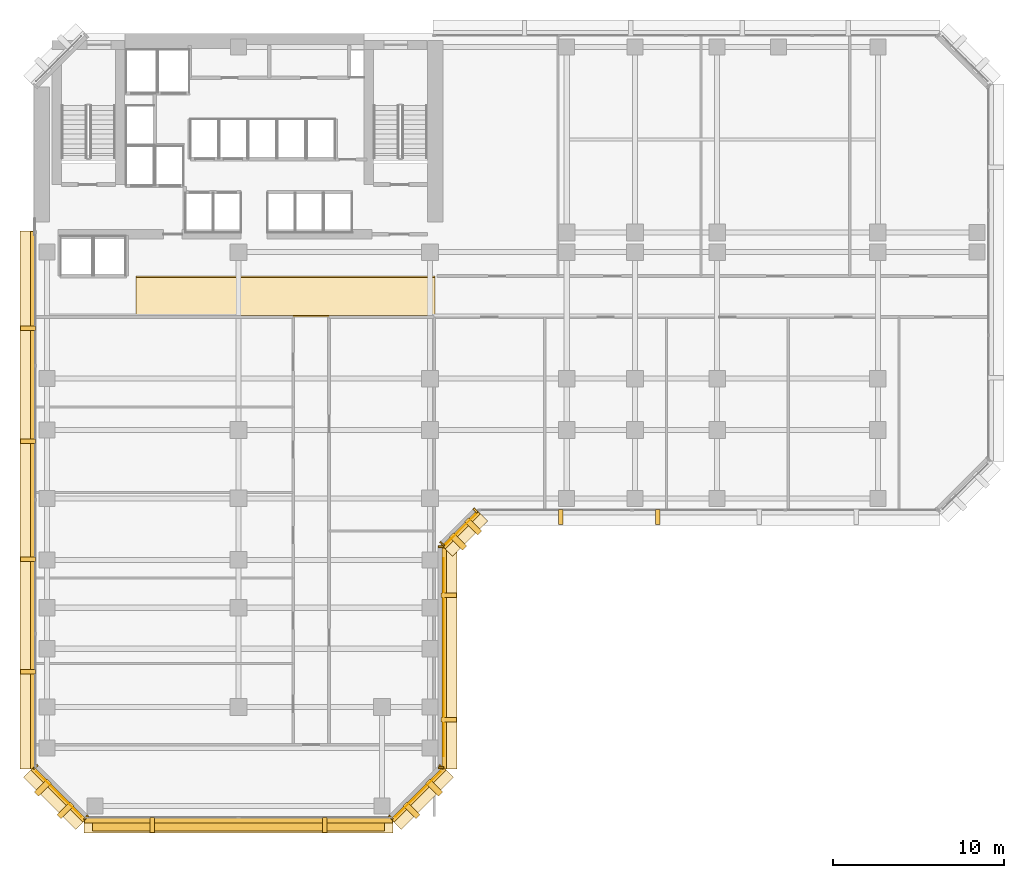
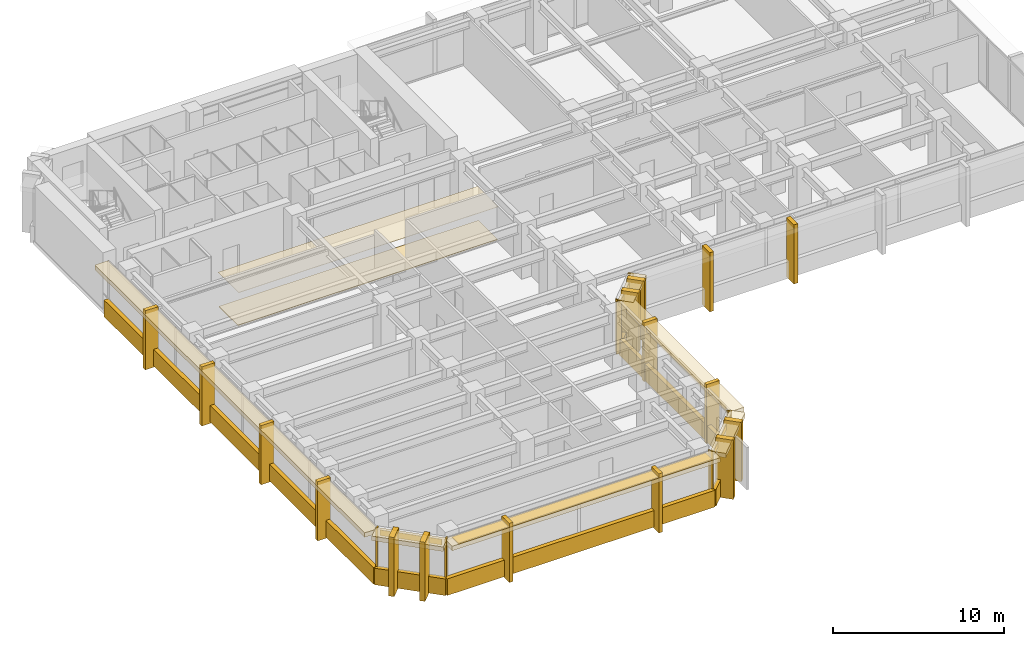
# One storey, part 9 of 13: 42 coverings, 1 shading device.
"""IFC4 building model written with IfcOpenShell, lengths in metres."""

from ifc_helpers import new_model, si_unit, direction, frame, origin, origin_2d, place, context, subcontext, project, spatial, polyline, rectangle, outline, extrude, material, layer, layer_set, type_object, element, save


model = new_model("IFC4")

# Units and contexts
model_context = context("Model", 3, precision=1e-05, world=origin(), true_north=direction((0.0, 1.0)))
body_context = subcontext(model_context, "Body", "Model", "MODEL_VIEW")
ifc_project = project(units=[si_unit("LENGTHUNIT", "METRE"), si_unit("AREAUNIT", "SQUARE_METRE"), si_unit("VOLUMEUNIT", "CUBIC_METRE"), si_unit("PLANEANGLEUNIT", "RADIAN"), si_unit("MASSUNIT", "GRAM", prefix="KILO")], contexts=[model_context])

# Site, building, storey
site_placement = place(None, origin())
site = spatial("IfcSite", under=ifc_project, at=site_placement, CompositionType="ELEMENT")
building_placement = place(site_placement, origin())
building = spatial("IfcBuilding", under=site, at=building_placement, Name="Kefirva Bronze Tower", CompositionType="ELEMENT")
storey_placement = place(building_placement, frame((0.0, 0.0, 62.0400390625)))
storey = spatial("IfcBuildingStorey", under=building, at=storey_placement, Name="L14", CompositionType="ELEMENT", Elevation=62.0400390625)

# Coverings
ifc_material_1 = material(Name="Acoustic mineral tile")
ifc_layer_1 = layer(ifc_material_1, 0.02490234375, Name="Acoustic mineral tile")
ifc_layer_set_1 = layer_set([ifc_layer_1], Name="Acoustic mineral tile")
covering_type_1 = type_object("IfcCoveringType", Name="Acoustic Mineral Suspended Ceiling 25mm", PredefinedType="CEILING", material=ifc_layer_set_1)
covering_1_placement = place(storey_placement, frame((0.0, 0.0, 2.39990234375)))
element("IfcCovering", 1, at=covering_1_placement, inside=storey, type_object=covering_type_1, Name="L14 Corridor Acoustic Ceiling", PredefinedType="CEILING", context=body_context, shape_type="SweptSolid", body=[
    extrude(outline(polyline([(6.0, 29.39990234375), (23.5, 29.39990234375), (23.5, 31.800048828125), (6.0, 31.800048828125), (6.0, 29.39990234375)])), origin(), (0.0, 0.0, 1.0), 0.025146484375),
])
ifc_material_2 = material(Name="Bronze anodised aluminium", Category="aluminium")
ifc_layer_2 = layer(ifc_material_2, 0.02001953125, Name="Bronze anodised aluminium")
ifc_layer_set_2 = layer_set([ifc_layer_2], Name="Bronze anodised aluminium")
covering_type_2 = type_object("IfcCoveringType", Name="Anodised Bronze Spandrel Cladding 20mm", PredefinedType="CLADDING", material=ifc_layer_set_2)
covering_2_placement = place(storey_placement, frame((12.0, -0.0400390625, -0.16015625), z_axis=(0.0, 0.0, 1.0), x_axis=(1.0, 0.0, 0.0)))
element("IfcCovering", 2, at=covering_2_placement, inside=storey, type_object=covering_type_2, Name="L14 Streamline Horizontal Spandrel Band 0", PredefinedType="CLADDING", context=body_context, shape_type="SweptSolid", body=[
    extrude(rectangle(XDim=18.0400390625, YDim=0.280029296875, at=origin_2d()), origin(), (0.0, 0.0, 1.0), 1.179931640625),
])
covering_3_placement = place(storey_placement, frame((22.507080078125, 1.492919921875, 3.2900390625), z_axis=(0.0, 0.0, 1.0), x_axis=(0.707106781187, 0.707106781187, 0.0)))
element("IfcCovering", 3, at=covering_3_placement, inside=storey, type_object=covering_type_2, Name="L14 Bronze Spandrel Cladding 1", PredefinedType="CLADDING", context=body_context, shape_type="SweptSolid", body=[
    extrude(rectangle(XDim=3.719482421875, YDim=0.02001953125, at=origin_2d()), origin(), (0.0, 0.0, 1.0), 0.39990234375),
])
for number, where, z_axis, x_axis, name in (
    (4, (20.91162109375, 0.137939453125, 0.0), (0.0, 0.0, 1.0), (0.707106781187, 0.707106781187, 0.0), "L14 Facade Joint Closure Panel 1S"),
    (5, (23.862060546875, 3.08837890625, 0.0), (0.0, 0.0, 1.0), (0.707106781187, 0.707106781187, 0.0), "L14 Facade Joint Closure Panel 1E"),
):
    element("IfcCovering", number, at=place(storey_placement, frame(where, z_axis=z_axis, x_axis=x_axis)), inside=storey, type_object=covering_type_2, Name=name, PredefinedType="CLADDING", context=body_context, shape_type="SweptSolid", body=[
        extrude(rectangle(XDim=0.10009765625, YDim=0.320068359375, at=origin_2d()), origin(), (0.0, 0.0, 1.0), 3.7099609375),
    ])
covering_4_placement = place(storey_placement, frame((22.5283203125, 1.4716796875, -0.16015625), z_axis=(0.0, 0.0, 1.0), x_axis=(0.707106781187, 0.707106781187, 0.0)))
element("IfcCovering", 6, at=covering_4_placement, inside=storey, type_object=covering_type_2, Name="L14 Streamline Horizontal Spandrel Band 1", PredefinedType="CLADDING", context=body_context, shape_type="SweptSolid", body=[
    extrude(rectangle(XDim=4.28271484375, YDim=0.280029296875, at=origin_2d()), origin(), (0.0, 0.0, 1.0), 1.179931640625),
])
covering_5_placement = place(storey_placement, frame((24.010009765625, 9.5, 3.2900390625), z_axis=(0.0, 0.0, 1.0), x_axis=(0.0, 1.0, 0.0)))
element("IfcCovering", 7, at=covering_5_placement, inside=storey, type_object=covering_type_2, Name="L14 Bronze Spandrel Cladding 2", PredefinedType="CLADDING", context=body_context, shape_type="SweptSolid", body=[
    extrude(rectangle(XDim=11.60107421875, YDim=0.02001953125, at=origin_2d()), origin(), (0.0, 0.0, 1.0), 0.39990234375),
])
for number, where, z_axis, x_axis, name in (
    (8, (23.840087890625, 3.034912109375, 0.0), (0.0, 0.0, 1.0), (0.0, 1.0, 0.0), "L14 Facade Joint Closure Panel 2S"),
    (9, (23.840087890625, 15.965087890625, 0.0), (0.0, 0.0, 1.0), (0.0, 1.0, 0.0), "L14 Facade Joint Closure Panel 2E"),
):
    element("IfcCovering", number, at=place(storey_placement, frame(where, z_axis=z_axis, x_axis=x_axis)), inside=storey, type_object=covering_type_2, Name=name, PredefinedType="CLADDING", context=body_context, shape_type="SweptSolid", body=[
        extrude(rectangle(XDim=0.10009765625, YDim=0.320068359375, at=origin_2d()), origin(), (0.0, 0.0, 1.0), 3.7099609375),
    ])
covering_6_placement = place(storey_placement, frame((24.0400390625, 9.5, -0.16015625), z_axis=(0.0, 0.0, 1.0), x_axis=(0.0, 1.0, 0.0)))
element("IfcCovering", 10, at=covering_6_placement, inside=storey, type_object=covering_type_2, Name="L14 Streamline Horizontal Spandrel Band 2", PredefinedType="CLADDING", context=body_context, shape_type="SweptSolid", body=[
    extrude(rectangle(XDim=13.0400390625, YDim=0.280029296875, at=origin_2d()), origin(), (0.0, 0.0, 1.0), 1.179931640625),
])
covering_7_placement = place(storey_placement, frame((25.007080078125, 16.992919921875, 3.2900390625), z_axis=(0.0, 0.0, 1.0), x_axis=(0.707106781187, 0.707106781187, 0.0)))
element("IfcCovering", 11, at=covering_7_placement, inside=storey, type_object=covering_type_2, Name="L14 Bronze Spandrel Cladding 3", PredefinedType="CLADDING", context=body_context, shape_type="SweptSolid", body=[
    extrude(rectangle(XDim=2.446533203125, YDim=0.02001953125, at=origin_2d()), origin(), (0.0, 0.0, 1.0), 0.39990234375),
])
for number, where, z_axis, x_axis, name in (
    (12, (23.91162109375, 16.137939453125, 0.0), (0.0, 0.0, 1.0), (0.707106781187, 0.707106781187, 0.0), "L14 Facade Joint Closure Panel 3S"),
    (13, (25.862060546875, 18.08837890625, 0.0), (0.0, 0.0, 1.0), (0.707106781187, 0.707106781187, 0.0), "L14 Facade Joint Closure Panel 3E"),
):
    element("IfcCovering", number, at=place(storey_placement, frame(where, z_axis=z_axis, x_axis=x_axis)), inside=storey, type_object=covering_type_2, Name=name, PredefinedType="CLADDING", context=body_context, shape_type="SweptSolid", body=[
        extrude(rectangle(XDim=0.10009765625, YDim=0.320068359375, at=origin_2d()), origin(), (0.0, 0.0, 1.0), 3.7099609375),
    ])
covering_8_placement = place(storey_placement, frame((25.0283203125, 16.9716796875, -0.16015625), z_axis=(0.0, 0.0, 1.0), x_axis=(0.707106781187, 0.707106781187, 0.0)))
element("IfcCovering", 14, at=covering_8_placement, inside=storey, type_object=covering_type_2, Name="L14 Streamline Horizontal Spandrel Band 3", PredefinedType="CLADDING", context=body_context, shape_type="SweptSolid", body=[
    extrude(rectangle(XDim=2.868408203125, YDim=0.280029296875, at=origin_2d()), origin(), (0.0, 0.0, 1.0), 1.179931640625),
])
covering_9_placement = place(storey_placement, frame((-0.0400390625, 18.697509765625, -0.16015625), z_axis=(0.0, 0.0, 1.0), x_axis=(0.0, -1.0, 0.0)))
element("IfcCovering", 15, at=covering_9_placement, inside=storey, type_object=covering_type_2, Name="L14 Streamline Horizontal Spandrel Band 10", PredefinedType="CLADDING", context=body_context, shape_type="SweptSolid", body=[
    extrude(rectangle(XDim=31.43505859375, YDim=0.280029296875, at=origin_2d()), origin(), (0.0, 0.0, 1.0), 1.179931640625),
])
covering_10_placement = place(storey_placement, frame((1.492919921875, 1.492919921875, 3.2900390625), z_axis=(0.0, 0.0, 1.0), x_axis=(0.707106781187, -0.707106781187, 0.0)))
element("IfcCovering", 16, at=covering_10_placement, inside=storey, type_object=covering_type_2, Name="L14 Bronze Spandrel Cladding 7", PredefinedType="CLADDING", context=body_context, shape_type="SweptSolid", body=[
    extrude(rectangle(XDim=3.719482421875, YDim=0.02001953125, at=origin_2d()), origin(), (0.0, 0.0, 1.0), 0.39990234375),
])
for number, where, z_axis, x_axis, name in (
    (17, (0.137939453125, 3.08837890625, 0.0), (0.0, 0.0, 1.0), (0.707106781187, -0.707106781187, 0.0), "L14 Facade Joint Closure Panel 7S"),
    (18, (3.08837890625, 0.137939453125, 0.0), (0.0, 0.0, 1.0), (0.707106781187, -0.707106781187, 0.0), "L14 Facade Joint Closure Panel 7E"),
):
    element("IfcCovering", number, at=place(storey_placement, frame(where, z_axis=z_axis, x_axis=x_axis)), inside=storey, type_object=covering_type_2, Name=name, PredefinedType="CLADDING", context=body_context, shape_type="SweptSolid", body=[
        extrude(rectangle(XDim=0.10009765625, YDim=0.320068359375, at=origin_2d()), origin(), (0.0, 0.0, 1.0), 3.7099609375),
    ])
covering_11_placement = place(storey_placement, frame((1.4716796875, 1.4716796875, -0.16015625), z_axis=(0.0, 0.0, 1.0), x_axis=(0.707106781187, -0.707106781187, 0.0)))
element("IfcCovering", 19, at=covering_11_placement, inside=storey, type_object=covering_type_2, Name="L14 Streamline Horizontal Spandrel Band 11", PredefinedType="CLADDING", context=body_context, shape_type="SweptSolid", body=[
    extrude(rectangle(XDim=4.28271484375, YDim=0.280029296875, at=origin_2d()), origin(), (0.0, 0.0, 1.0), 1.179931640625),
])

# Shading device
ifc_layer_3 = layer(ifc_material_2, 0.090087890625, Name="Bronze anodised aluminium")
ifc_layer_set_3 = layer_set([ifc_layer_3], Name="Bronze anodised aluminium")
shading_device_type = type_object("IfcShadingDeviceType", Name="Horizontal Bronze Sunshade Band 750mm", PredefinedType="JALOUSIE", material=ifc_layer_set_3)
shading_device_placement = place(storey_placement, frame((12.0, -0.294921875, 3.60498046875), z_axis=(0.0, 0.0, 1.0), x_axis=(1.0, 0.0, 0.0)))
element("IfcShadingDevice", 20, at=shading_device_placement, inside=storey, type_object=shading_device_type, Name="L14 Horizontal Bronze Sunshade Band 0", PredefinedType="JALOUSIE", context=body_context, shape_type="SweptSolid", body=[
    extrude(rectangle(XDim=17.090087890625, YDim=0.75, at=origin_2d()), origin(), (0.0, 0.0, 1.0), 0.090087890625),
])

# Coverings
ifc_material_3 = material(Name="Calcium sulphate access tile")
ifc_layer_4 = layer(ifc_material_3, 0.044921875, Name="Calcium sulphate access tile")
ifc_layer_set_4 = layer_set([ifc_layer_4], Name="Calcium sulphate access tile")
covering_type_3 = type_object("IfcCoveringType", Name="Raised Access Office Flooring 45mm", PredefinedType="FLOORING", material=ifc_layer_set_4)
covering_12_placement = place(storey_placement, origin())
element("IfcCovering", 21, at=covering_12_placement, inside=storey, type_object=covering_type_3, Name="L14 Architectural Finish Flooring", PredefinedType="FLOORING", context=body_context, shape_type="SweptSolid", body=[
    extrude(outline(polyline([(6.0, 29.47998046875), (23.5, 29.47998046875), (23.5, 31.719970703125), (6.0, 31.719970703125), (6.0, 29.47998046875)])), origin(), (0.0, 0.0, 1.0), 0.044921875),
])
ifc_layer_5 = layer(ifc_material_2, 0.179931640625, Name="Bronze anodised aluminium")
ifc_layer_set_5 = layer_set([ifc_layer_5], Name="Bronze anodised aluminium")
covering_type_4 = type_object("IfcCoveringType", Name="Streamline Bronze Sunshade Eyebrow Cladding 180mm", PredefinedType="CLADDING", material=ifc_layer_set_5)
covering_13_placement = place(storey_placement, frame((12.0, -0.31005859375, 3.39013671875), z_axis=(0.0, 0.0, 1.0), x_axis=(1.0, 0.0, 0.0)))
element("IfcCovering", 22, at=covering_13_placement, inside=storey, type_object=covering_type_4, Name="L14 Streamline Bronze Sunshade Eyebrow 0", PredefinedType="CLADDING", context=body_context, shape_type="SweptSolid", body=[
    extrude(rectangle(XDim=18.080078125, YDim=0.93994140625, at=origin_2d()), origin(), (0.0, 0.0, 1.0), 0.320068359375),
])
covering_14_placement = place(storey_placement, frame((22.71923828125, 1.28076171875, 3.39013671875), z_axis=(0.0, 0.0, 1.0), x_axis=(0.707106781187, 0.707106781187, 0.0)))
element("IfcCovering", 23, at=covering_14_placement, inside=storey, type_object=covering_type_4, Name="L14 Streamline Bronze Sunshade Eyebrow 1", PredefinedType="CLADDING", context=body_context, shape_type="SweptSolid", body=[
    extrude(rectangle(XDim=4.322509765625, YDim=0.93994140625, at=origin_2d()), origin(), (0.0, 0.0, 1.0), 0.320068359375),
])
covering_15_placement = place(storey_placement, frame((24.31005859375, 9.5, 3.39013671875), z_axis=(0.0, 0.0, 1.0), x_axis=(0.0, 1.0, 0.0)))
element("IfcCovering", 24, at=covering_15_placement, inside=storey, type_object=covering_type_4, Name="L14 Streamline Bronze Sunshade Eyebrow 2", PredefinedType="CLADDING", context=body_context, shape_type="SweptSolid", body=[
    extrude(rectangle(XDim=13.080078125, YDim=0.93994140625, at=origin_2d()), origin(), (0.0, 0.0, 1.0), 0.320068359375),
])
covering_16_placement = place(storey_placement, frame((25.21923828125, 16.78076171875, 3.39013671875), z_axis=(0.0, 0.0, 1.0), x_axis=(0.707106781187, 0.707106781187, 0.0)))
element("IfcCovering", 25, at=covering_16_placement, inside=storey, type_object=covering_type_4, Name="L14 Streamline Bronze Sunshade Eyebrow 3", PredefinedType="CLADDING", context=body_context, shape_type="SweptSolid", body=[
    extrude(rectangle(XDim=2.908447265625, YDim=0.93994140625, at=origin_2d()), origin(), (0.0, 0.0, 1.0), 0.320068359375),
])
covering_17_placement = place(storey_placement, frame((-0.31005859375, 18.697509765625, 3.39013671875), z_axis=(0.0, 0.0, 1.0), x_axis=(0.0, -1.0, 0.0)))
element("IfcCovering", 26, at=covering_17_placement, inside=storey, type_object=covering_type_4, Name="L14 Streamline Bronze Sunshade Eyebrow 10", PredefinedType="CLADDING", context=body_context, shape_type="SweptSolid", body=[
    extrude(rectangle(XDim=31.47509765625, YDim=0.93994140625, at=origin_2d()), origin(), (0.0, 0.0, 1.0), 0.320068359375),
])
covering_18_placement = place(storey_placement, frame((1.28076171875, 1.28076171875, 3.39013671875), z_axis=(0.0, 0.0, 1.0), x_axis=(0.707106781187, -0.707106781187, 0.0)))
element("IfcCovering", 27, at=covering_18_placement, inside=storey, type_object=covering_type_4, Name="L14 Streamline Bronze Sunshade Eyebrow 11", PredefinedType="CLADDING", context=body_context, shape_type="SweptSolid", body=[
    extrude(rectangle(XDim=4.322509765625, YDim=0.93994140625, at=origin_2d()), origin(), (0.0, 0.0, 1.0), 0.320068359375),
])
ifc_layer_6 = layer(ifc_material_2, 0.260009765625, Name="Bronze anodised aluminium")
ifc_layer_set_6 = layer_set([ifc_layer_6], Name="Bronze anodised aluminium")
covering_type_5 = type_object("IfcCoveringType", Name="Unbroken Bronze Buttress Fin Cladding 260mm", PredefinedType="CLADDING", material=ifc_layer_set_6)
for number, where, z_axis, x_axis, name in (
    (28, (6.9599609375, -0.300048828125, -0.25), (0.0, 0.0, 1.0), (1.0, 0.0, 0.0), "L14 Unbroken Vertical Bronze Rib Fin 1"),
    (29, (17.0400390625, -0.300048828125, -0.25), (0.0, 0.0, 1.0), (1.0, 0.0, 0.0), "L14 Unbroken Vertical Bronze Rib Fin 2"),
):
    element("IfcCovering", number, at=place(storey_placement, frame(where, z_axis=z_axis, x_axis=x_axis)), inside=storey, type_object=covering_type_5, Name=name, PredefinedType="CLADDING", context=body_context, shape_type="SweptSolid", body=[
        extrude(rectangle(XDim=0.260009765625, YDim=0.8798828125, at=origin_2d()), origin(), (0.0, 0.0, 1.0), 4.2099609375),
    ])
for number, where, z_axis, x_axis, name in (
    (30, (22.122802734375, 0.55712890625, -0.25), (0.0, 0.0, 1.0), (0.707106781187, 0.707106781187, 0.0), "L14 Chamfered Corner Buttress Fin Cladding 3"),
    (31, (23.44287109375, 1.877197265625, -0.25), (0.0, 0.0, 1.0), (0.707106781187, 0.707106781187, 0.0), "L14 Chamfered Corner Buttress Fin Cladding 4"),
):
    element("IfcCovering", number, at=place(storey_placement, frame(where, z_axis=z_axis, x_axis=x_axis)), inside=storey, type_object=covering_type_5, Name=name, PredefinedType="CLADDING", context=body_context, shape_type="SweptSolid", body=[
        extrude(rectangle(XDim=0.340087890625, YDim=1.080078125, at=origin_2d()), origin(), (0.0, 0.0, 1.0), 4.2099609375),
    ])
for number, where, z_axis, x_axis, name in (
    (32, (24.300048828125, 5.860107421875, -0.25), (0.0, 0.0, 1.0), (0.0, 1.0, 0.0), "L14 Unbroken Vertical Bronze Rib Fin 5"),
    (33, (24.300048828125, 13.139892578125, -0.25), (0.0, 0.0, 1.0), (0.0, 1.0, 0.0), "L14 Unbroken Vertical Bronze Rib Fin 6"),
):
    element("IfcCovering", number, at=place(storey_placement, frame(where, z_axis=z_axis, x_axis=x_axis)), inside=storey, type_object=covering_type_5, Name=name, PredefinedType="CLADDING", context=body_context, shape_type="SweptSolid", body=[
        extrude(rectangle(XDim=0.260009765625, YDim=0.8798828125, at=origin_2d()), origin(), (0.0, 0.0, 1.0), 4.2099609375),
    ])
for number, where, z_axis, x_axis, name in (
    (34, (24.8427734375, 16.277099609375, -0.25), (0.0, 0.0, 1.0), (0.707106781187, 0.707106781187, 0.0), "L14 Chamfered Corner Buttress Fin Cladding 7"),
    (35, (25.722900390625, 17.1572265625, -0.25), (0.0, 0.0, 1.0), (0.707106781187, 0.707106781187, 0.0), "L14 Chamfered Corner Buttress Fin Cladding 8"),
):
    element("IfcCovering", number, at=place(storey_placement, frame(where, z_axis=z_axis, x_axis=x_axis)), inside=storey, type_object=covering_type_5, Name=name, PredefinedType="CLADDING", context=body_context, shape_type="SweptSolid", body=[
        extrude(rectangle(XDim=0.340087890625, YDim=1.080078125, at=origin_2d()), origin(), (0.0, 0.0, 1.0), 4.2099609375),
    ])
for number, where, z_axis, x_axis, name in (
    (36, (30.860107421875, 17.699951171875, -0.25), (0.0, 0.0, 1.0), (1.0, 0.0, 0.0), "L14 Unbroken Vertical Bronze Rib Fin 9"),
    (37, (36.530029296875, 17.699951171875, -0.25), (0.0, 0.0, 1.0), (1.0, 0.0, 0.0), "L14 Unbroken Vertical Bronze Rib Fin 10"),
    (38, (-0.300048828125, 28.743896484375, -0.25), (0.0, 0.0, 1.0), (0.0, -1.0, 0.0), "L14 Unbroken Vertical Bronze Rib Fin 25"),
    (39, (-0.300048828125, 22.15087890625, -0.25), (0.0, 0.0, 1.0), (0.0, -1.0, 0.0), "L14 Unbroken Vertical Bronze Rib Fin 26"),
    (40, (-0.300048828125, 15.244140625, -0.25), (0.0, 0.0, 1.0), (0.0, -1.0, 0.0), "L14 Unbroken Vertical Bronze Rib Fin 27"),
    (41, (-0.300048828125, 8.651123046875, -0.25), (0.0, 0.0, 1.0), (0.0, -1.0, 0.0), "L14 Unbroken Vertical Bronze Rib Fin 28"),
):
    element("IfcCovering", number, at=place(storey_placement, frame(where, z_axis=z_axis, x_axis=x_axis)), inside=storey, type_object=covering_type_5, Name=name, PredefinedType="CLADDING", context=body_context, shape_type="SweptSolid", body=[
        extrude(rectangle(XDim=0.260009765625, YDim=0.8798828125, at=origin_2d()), origin(), (0.0, 0.0, 1.0), 4.2099609375),
    ])
for number, where, z_axis, x_axis, name in (
    (42, (0.55712890625, 1.877197265625, -0.25), (0.0, 0.0, 1.0), (0.707106781187, -0.707106781187, 0.0), "L14 Chamfered Corner Buttress Fin Cladding 29"),
    (43, (1.877197265625, 0.55712890625, -0.25), (0.0, 0.0, 1.0), (0.707106781187, -0.707106781187, 0.0), "L14 Chamfered Corner Buttress Fin Cladding 30"),
):
    element("IfcCovering", number, at=place(storey_placement, frame(where, z_axis=z_axis, x_axis=x_axis)), inside=storey, type_object=covering_type_5, Name=name, PredefinedType="CLADDING", context=body_context, shape_type="SweptSolid", body=[
        extrude(rectangle(XDim=0.340087890625, YDim=1.080078125, at=origin_2d()), origin(), (0.0, 0.0, 1.0), 4.2099609375),
    ])

save(model, "model.ifc")
